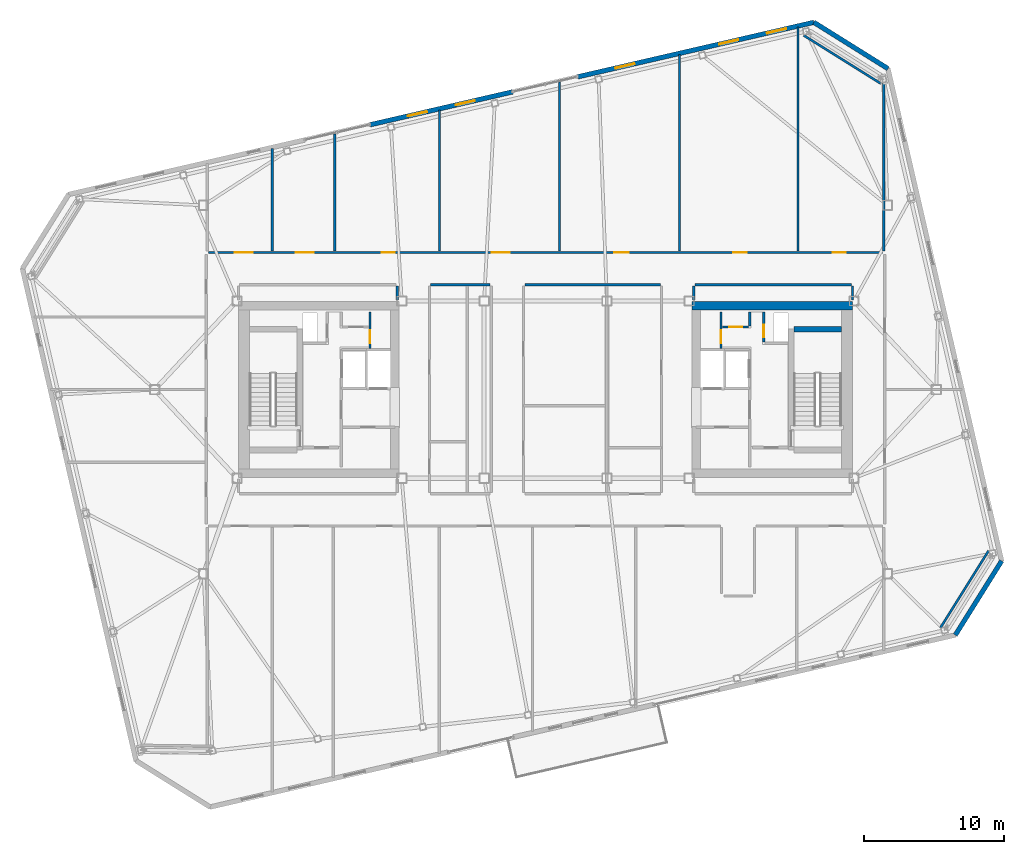
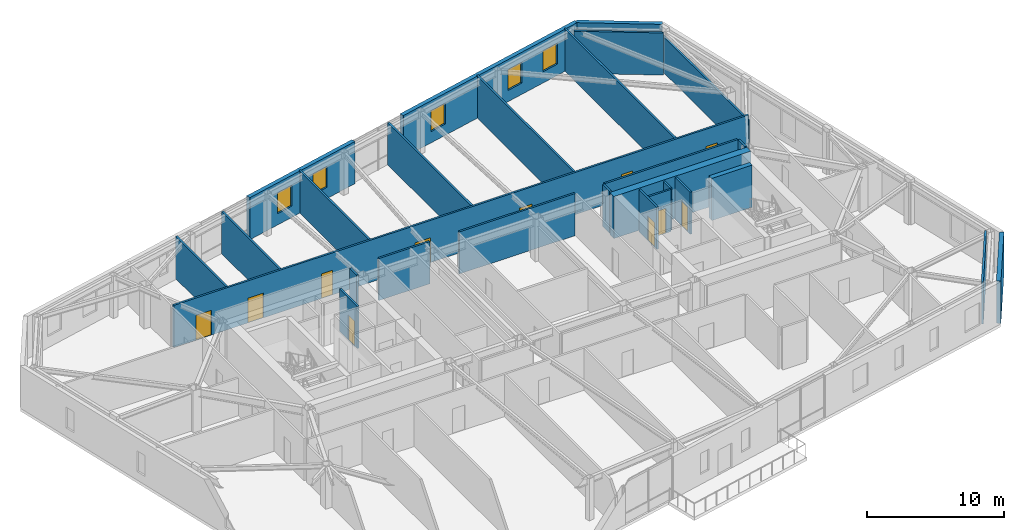
# One storey, part 19 of 24: 27 walls, 11 doors, 5 windows, 16 openings.
"""IFC4 building model written with IfcOpenShell, lengths in metres."""

from ifc_helpers import new_model, si_unit, direction, frame, frame_2d, origin, place, context, subcontext, project, spatial, rectangle, extrude, material, layer, layer_set, type_object, element, fill, save


model = new_model("IFC4")

# Units and contexts
model_context = context("Model", 3, precision=1e-05, world=origin(), true_north=direction((0.0, 1.0)))
body_context = subcontext(model_context, "Body", "Model", "MODEL_VIEW")
ifc_project = project(units=[si_unit("LENGTHUNIT", "METRE"), si_unit("AREAUNIT", "SQUARE_METRE"), si_unit("VOLUMEUNIT", "CUBIC_METRE"), si_unit("PLANEANGLEUNIT", "RADIAN"), si_unit("MASSUNIT", "GRAM", prefix="KILO")], contexts=[model_context])

# Site, building, storey
site_placement = place(None, origin())
site = spatial("IfcSite", under=ifc_project, at=site_placement, CompositionType="ELEMENT")
building_placement = place(site_placement, origin())
building = spatial("IfcBuilding", under=site, at=building_placement, Name="Tavrogorsk Clinical Tower", CompositionType="ELEMENT")
storey_placement = place(building_placement, frame((0.0, 0.0, 325.0)))
storey = spatial("IfcBuildingStorey", under=building, at=storey_placement, Name="L76", CompositionType="ELEMENT", Elevation=325.0)

# Wall, opening, door
ifc_material_1 = material(Name="Lightweight concrete blockwork B15", Category="masonry")
ifc_layer_1 = layer(ifc_material_1, 0.159912109375)
ifc_layer_set_1 = layer_set([ifc_layer_1], Name="Lightweight concrete blockwork B15")
wall_type_1 = type_object("IfcWallType", Name="PartitionWall_160", PredefinedType="PARTITIONING", material=ifc_layer_set_1)
wall_1_placement = place(storey_placement, frame((-12.580078125, 2.9599609375, 0.0), z_axis=(0.0, 0.0, 1.0), x_axis=(0.0, 1.0, 0.0)))
wall_1 = element("IfcWall", 1, at=wall_1_placement, inside=storey, type_object=wall_type_1, Name="L76 Core West Linen Closet Wall", PredefinedType="PARTITIONING", context=body_context, shape_type="SweptSolid", body=[
    extrude(rectangle(XDim=2.60009765625, YDim=0.159912109375, at=frame_2d((1.300048828125, 0.0))), origin(), (0.0, 0.0, 1.0), 3.739990234375),
])
opening_1_placement = place(wall_1_placement, frame((0.35009765625, 0.0, 0.0)))
opening_1 = element("IfcOpeningElement", 2, at=opening_1_placement, cuts=wall_1, Name="Opening ID-02", PredefinedType="OPENING", context=body_context, shape_type="SweptSolid", body=[
    extrude(rectangle(XDim=0.949951171875, YDim=2.199951171875, at=frame_2d((0.47509765625, 1.10009765625))), frame((0.0, 0.08984375, 0.0), z_axis=(0.0, -1.0, 0.0), x_axis=(1.0, 0.0, 0.0)), (0.0, 0.0, 1.0), 0.179931640625),
])
ifc_material_2 = material(Name="Laminated timber leaf on aluminium frame", Category="wood")
door_type_1 = type_object("IfcDoorType", Name="InteriorDoor_ID02_950", OperationType="NOTDEFINED", PredefinedType="DOOR", material=ifc_material_2)
door_1_placement = place(opening_1_placement, origin())
door_1 = element("IfcDoor", 3, at=door_1_placement, inside=storey, type_object=door_type_1, Name="L76 Core West Linen Closet Door", OperationType="SINGLE_SWING_RIGHT", OverallHeight=2.199951171875, OverallWidth=0.949951171875, PredefinedType="DOOR", context=body_context, shape_type="SweptSolid", body=[
    extrude(rectangle(XDim=0.949951171875, YDim=2.199951171875, at=frame_2d((0.47509765625, 1.10009765625))), frame((0.0, 0.02490234375, 0.0), z_axis=(0.0, -1.0, 0.0), x_axis=(1.0, 0.0, 0.0)), (0.0, 0.0, 1.0), 0.050048828125),
])
fill(opening_1, door_1)

wall_2_placement = place(storey_placement, frame((12.580078125, 2.9599609375, 0.0), z_axis=(0.0, 0.0, 1.0), x_axis=(0.0, 1.0, 0.0)))
wall_2 = element("IfcWall", 4, at=wall_2_placement, inside=storey, type_object=wall_type_1, Name="L76 Core East Linen Closet Wall", PredefinedType="PARTITIONING", context=body_context, shape_type="SweptSolid", body=[
    extrude(rectangle(XDim=2.60009765625, YDim=0.159912109375, at=frame_2d((1.300048828125, 0.0))), origin(), (0.0, 0.0, 1.0), 3.739990234375),
])
opening_2_placement = place(wall_2_placement, frame((0.35009765625, 0.0, 0.0)))
opening_2 = element("IfcOpeningElement", 5, at=opening_2_placement, cuts=wall_2, Name="Opening ID-02", PredefinedType="OPENING", context=body_context, shape_type="SweptSolid", body=[
    extrude(rectangle(XDim=0.949951171875, YDim=2.199951171875, at=frame_2d((0.47509765625, 1.10009765625))), frame((0.0, 0.08984375, 0.0), z_axis=(0.0, -1.0, 0.0), x_axis=(1.0, 0.0, 0.0)), (0.0, 0.0, 1.0), 0.179931640625),
])
door_2_placement = place(opening_2_placement, origin())
door_2 = element("IfcDoor", 6, at=door_2_placement, inside=storey, type_object=door_type_1, Name="L76 Core East Linen Closet Door", OperationType="SINGLE_SWING_RIGHT", OverallHeight=2.199951171875, OverallWidth=0.949951171875, PredefinedType="DOOR", context=body_context, shape_type="SweptSolid", body=[
    extrude(rectangle(XDim=0.949951171875, YDim=2.199951171875, at=frame_2d((0.47509765625, 1.10009765625))), frame((0.0, 0.02490234375, 0.0), z_axis=(0.0, -1.0, 0.0), x_axis=(1.0, 0.0, 0.0)), (0.0, 0.0, 1.0), 0.050048828125),
])
fill(opening_2, door_2)

wall_3_placement = place(storey_placement, frame((12.6650390625, 4.47998046875, 0.0), z_axis=(0.0, 0.0, 1.0), x_axis=(1.0, 0.0, 0.0)))
wall_3 = element("IfcWall", 7, at=wall_3_placement, inside=storey, type_object=wall_type_1, Name="L76 Core East Housekeeping South Wall", PredefinedType="PARTITIONING", context=body_context, shape_type="SweptSolid", body=[
    extrude(rectangle(XDim=1.889892578125, YDim=0.159912109375, at=frame_2d((0.94482421875, 0.0))), origin(), (0.0, 0.0, 1.0), 3.739990234375),
])
opening_3_placement = place(wall_3_placement, frame((0.5, 0.0, 0.0)))
opening_3 = element("IfcOpeningElement", 8, at=opening_3_placement, cuts=wall_3, Name="Opening ID-02", PredefinedType="OPENING", context=body_context, shape_type="SweptSolid", body=[
    extrude(rectangle(XDim=0.949951171875, YDim=2.199951171875, at=frame_2d((0.47509765625, 1.10009765625))), frame((0.0, 0.08984375, 0.0), z_axis=(0.0, -1.0, 0.0), x_axis=(1.0, 0.0, 0.0)), (0.0, 0.0, 1.0), 0.179931640625),
])
door_3_placement = place(opening_3_placement, origin())
door_3 = element("IfcDoor", 9, at=door_3_placement, inside=storey, type_object=door_type_1, Name="L76 Core East Housekeeping Closet Door", OperationType="SINGLE_SWING_LEFT", OverallHeight=2.199951171875, OverallWidth=0.949951171875, PredefinedType="DOOR", context=body_context, shape_type="SweptSolid", body=[
    extrude(rectangle(XDim=0.949951171875, YDim=2.199951171875, at=frame_2d((0.47509765625, 1.10009765625))), frame((0.0, 0.02490234375, 0.0), z_axis=(0.0, -1.0, 0.0), x_axis=(1.0, 0.0, 0.0)), (0.0, 0.0, 1.0), 0.050048828125),
])
fill(opening_3, door_3)

# Walls
wall_4_placement = place(storey_placement, frame((14.639892578125, 4.56494140625, 0.0), z_axis=(0.0, 0.0, 1.0), x_axis=(0.0, 1.0, 0.0)))
element("IfcWall", 10, at=wall_4_placement, inside=storey, type_object=wall_type_1, Name="L76 Core East Housekeeping East Wall", PredefinedType="PARTITIONING", context=body_context, shape_type="SweptSolid", body=[
    extrude(rectangle(XDim=0.9951171875, YDim=0.159912109375, at=frame_2d((0.49755859375, 0.0))), origin(), (0.0, 0.0, 1.0), 3.739990234375),
])
for number, where, z_axis, x_axis, name in (
    (11, (28.30029296875, -17.064697265625, 0.0), (0.0, 0.0, 1.0), (0.529914601736, 0.848051009591, 0.0), "L76 Corner Exoskeleton Brace Furring Wall 1"),
    (12, (24.018310546875, 21.9306640625, 0.0), (0.0, 0.0, 1.0), (-0.848051009591, 0.529914601736, 0.0), "L76 Corner Exoskeleton Brace Furring Wall 2"),
):
    element("IfcWall", number, at=place(storey_placement, frame(where, z_axis=z_axis, x_axis=x_axis)), inside=storey, type_object=wall_type_1, Name=name, PredefinedType="PARTITIONING", context=body_context, shape_type="SweptSolid", body=[
        extrude(rectangle(XDim=6.50537109375, YDim=0.159912109375, at=frame_2d((3.252685546875, 0.0))), origin(), (0.0, 0.0, 1.0), 3.739990234375),
    ])

# Wall, openings, doors
wall_5_placement = place(storey_placement, frame((-24.14501953125, 9.830078125, 0.0), z_axis=(0.0, 0.0, 1.0), x_axis=(1.0, 0.0, 0.0)))
wall_5 = element("IfcWall", 13, at=wall_5_placement, inside=storey, type_object=wall_type_1, Name="L76 Corridor Partition 02", PredefinedType="PARTITIONING", context=body_context, shape_type="SweptSolid", body=[
    extrude(rectangle(XDim=48.2900390625, YDim=0.159912109375, at=frame_2d((24.14501953125, 0.0))), origin(), (0.0, 0.0, 1.0), 3.739990234375),
])
opening_4_placement = place(wall_5_placement, frame((1.869140625, 0.0, 0.0)))
opening_4 = element("IfcOpeningElement", 14, at=opening_4_placement, cuts=wall_5, Name="Opening ID-01", PredefinedType="OPENING", context=body_context, shape_type="SweptSolid", body=[
    extrude(rectangle(XDim=1.300048828125, YDim=2.199951171875, at=frame_2d((0.64990234375, 1.10009765625))), frame((0.0, 0.08984375, 0.0), z_axis=(0.0, -1.0, 0.0), x_axis=(1.0, 0.0, 0.0)), (0.0, 0.0, 1.0), 0.179931640625),
])
opening_5_placement = place(wall_5_placement, frame((6.239990234375, 0.0, 0.0)))
opening_5 = element("IfcOpeningElement", 15, at=opening_5_placement, cuts=wall_5, Name="Opening ID-01", PredefinedType="OPENING", context=body_context, shape_type="SweptSolid", body=[
    extrude(rectangle(XDim=1.300048828125, YDim=2.199951171875, at=frame_2d((0.64990234375, 1.10009765625))), frame((0.0, 0.08984375, 0.0), z_axis=(0.0, -1.0, 0.0), x_axis=(1.0, 0.0, 0.0)), (0.0, 0.0, 1.0), 0.179931640625),
])
opening_6_placement = place(wall_5_placement, frame((12.405029296875, 0.0, 0.0)))
opening_6 = element("IfcOpeningElement", 16, at=opening_6_placement, cuts=wall_5, Name="Opening ID-02", PredefinedType="OPENING", context=body_context, shape_type="SweptSolid", body=[
    extrude(rectangle(XDim=0.949951171875, YDim=2.199951171875, at=frame_2d((0.47509765625, 1.10009765625))), frame((0.0, 0.08984375, 0.0), z_axis=(0.0, -1.0, 0.0), x_axis=(1.0, 0.0, 0.0)), (0.0, 0.0, 1.0), 0.179931640625),
])
opening_7_placement = place(wall_5_placement, frame((20.280029296875, 0.0, 0.0)))
opening_7 = element("IfcOpeningElement", 17, at=opening_7_placement, cuts=wall_5, Name="Opening ID-01", PredefinedType="OPENING", context=body_context, shape_type="SweptSolid", body=[
    extrude(rectangle(XDim=1.300048828125, YDim=2.199951171875, at=frame_2d((0.64990234375, 1.10009765625))), frame((0.0, 0.08984375, 0.0), z_axis=(0.0, -1.0, 0.0), x_axis=(1.0, 0.0, 0.0)), (0.0, 0.0, 1.0), 0.179931640625),
])
opening_8_placement = place(wall_5_placement, frame((29.054931640625, 0.0, 0.0)))
opening_8 = element("IfcOpeningElement", 18, at=opening_8_placement, cuts=wall_5, Name="Opening ID-04", PredefinedType="OPENING", context=body_context, shape_type="SweptSolid", body=[
    extrude(rectangle(XDim=1.050048828125, YDim=2.199951171875, at=frame_2d((0.52490234375, 1.10009765625))), frame((0.0, 0.08984375, 0.0), z_axis=(0.0, -1.0, 0.0), x_axis=(1.0, 0.0, 0.0)), (0.0, 0.0, 1.0), 0.179931640625),
])
opening_9_placement = place(wall_5_placement, frame((37.60498046875, 0.0, 0.0)))
opening_9 = element("IfcOpeningElement", 19, at=opening_9_placement, cuts=wall_5, Name="Opening ID-02", PredefinedType="OPENING", context=body_context, shape_type="SweptSolid", body=[
    extrude(rectangle(XDim=0.949951171875, YDim=2.199951171875, at=frame_2d((0.47509765625, 1.10009765625))), frame((0.0, 0.08984375, 0.0), z_axis=(0.0, -1.0, 0.0), x_axis=(1.0, 0.0, 0.0)), (0.0, 0.0, 1.0), 0.179931640625),
])
opening_10_placement = place(wall_5_placement, frame((44.725830078125, 0.0, 0.0)))
opening_10 = element("IfcOpeningElement", 20, at=opening_10_placement, cuts=wall_5, Name="Opening ID-02", PredefinedType="OPENING", context=body_context, shape_type="SweptSolid", body=[
    extrude(rectangle(XDim=0.949951171875, YDim=2.199951171875, at=frame_2d((0.47509765625, 1.10009765625))), frame((0.0, 0.08984375, 0.0), z_axis=(0.0, -1.0, 0.0), x_axis=(1.0, 0.0, 0.0)), (0.0, 0.0, 1.0), 0.179931640625),
])
ifc_material_3 = material(Name="Antibacterial HPL consultation door on aluminium frame", Category="aluminium")
door_type_2 = type_object("IfcDoorType", Name="ConsultDoor_ID04_1050", OperationType="NOTDEFINED", PredefinedType="DOOR", material=ifc_material_3)
door_4_placement = place(opening_8_placement, origin())
door_4 = element("IfcDoor", 21, at=door_4_placement, inside=storey, type_object=door_type_2, Name="L76 North Clinical Examination Suite 05 Door", OperationType="SINGLE_SWING_LEFT", OverallHeight=2.199951171875, OverallWidth=1.050048828125, PredefinedType="DOOR", context=body_context, shape_type="SweptSolid", body=[
    extrude(rectangle(XDim=1.050048828125, YDim=2.199951171875, at=frame_2d((0.52490234375, 1.10009765625))), frame((0.0, 0.02490234375, 0.0), z_axis=(0.0, -1.0, 0.0), x_axis=(1.0, 0.0, 0.0)), (0.0, 0.0, 1.0), 0.050048828125),
])
fill(opening_8, door_4)
door_5_placement = place(opening_6_placement, origin())
door_5 = element("IfcDoor", 22, at=door_5_placement, inside=storey, type_object=door_type_1, Name="L76 North Multidisciplinary Case Room 03 Door", OperationType="SINGLE_SWING_LEFT", OverallHeight=2.199951171875, OverallWidth=0.949951171875, PredefinedType="DOOR", context=body_context, shape_type="SweptSolid", body=[
    extrude(rectangle(XDim=0.949951171875, YDim=2.199951171875, at=frame_2d((0.47509765625, 1.10009765625))), frame((0.0, 0.02490234375, 0.0), z_axis=(0.0, -1.0, 0.0), x_axis=(1.0, 0.0, 0.0)), (0.0, 0.0, 1.0), 0.050048828125),
])
fill(opening_6, door_5)
door_6_placement = place(opening_9_placement, origin())
door_6 = element("IfcDoor", 23, at=door_6_placement, inside=storey, type_object=door_type_1, Name="L76 North Diagnostic Ultrasound Suite 06 Door", OperationType="SINGLE_SWING_RIGHT", OverallHeight=2.199951171875, OverallWidth=0.949951171875, PredefinedType="DOOR", context=body_context, shape_type="SweptSolid", body=[
    extrude(rectangle(XDim=0.949951171875, YDim=2.199951171875, at=frame_2d((0.47509765625, 1.10009765625))), frame((0.0, 0.02490234375, 0.0), z_axis=(0.0, -1.0, 0.0), x_axis=(1.0, 0.0, 0.0)), (0.0, 0.0, 1.0), 0.050048828125),
])
fill(opening_9, door_6)
door_7_placement = place(opening_10_placement, origin())
door_7 = element("IfcDoor", 24, at=door_7_placement, inside=storey, type_object=door_type_1, Name="L76 North Physiotherapy Rehab Studio 07 Door", OperationType="SINGLE_SWING_LEFT", OverallHeight=2.199951171875, OverallWidth=0.949951171875, PredefinedType="DOOR", context=body_context, shape_type="SweptSolid", body=[
    extrude(rectangle(XDim=0.949951171875, YDim=2.199951171875, at=frame_2d((0.47509765625, 1.10009765625))), frame((0.0, 0.02490234375, 0.0), z_axis=(0.0, -1.0, 0.0), x_axis=(1.0, 0.0, 0.0)), (0.0, 0.0, 1.0), 0.050048828125),
])
fill(opening_10, door_7)
ifc_material_4 = material(Name="Antibacterial HPL medical leaf on aluminium frame", Category="aluminium")
door_type_3 = type_object("IfcDoorType", Name="WardBedDoor_ID01_1300", OperationType="NOTDEFINED", PredefinedType="DOOR", material=ifc_material_4)
door_8_placement = place(opening_4_placement, origin())
door_8 = element("IfcDoor", 25, at=door_8_placement, inside=storey, type_object=door_type_3, Name="L76 North Acute Isolation Suite 01 Door", OperationType="SINGLE_SWING_LEFT", OverallHeight=2.199951171875, OverallWidth=1.300048828125, PredefinedType="DOOR", context=body_context, shape_type="SweptSolid", body=[
    extrude(rectangle(XDim=1.300048828125, YDim=2.199951171875, at=frame_2d((0.64990234375, 1.10009765625))), frame((0.0, 0.02490234375, 0.0), z_axis=(0.0, -1.0, 0.0), x_axis=(1.0, 0.0, 0.0)), (0.0, 0.0, 1.0), 0.050048828125),
])
fill(opening_4, door_8)
door_9_placement = place(opening_5_placement, origin())
door_9 = element("IfcDoor", 26, at=door_9_placement, inside=storey, type_object=door_type_3, Name="L76 North Sub-Acute Recovery Ward 02 Door", OperationType="SINGLE_SWING_RIGHT", OverallHeight=2.199951171875, OverallWidth=1.300048828125, PredefinedType="DOOR", context=body_context, shape_type="SweptSolid", body=[
    extrude(rectangle(XDim=1.300048828125, YDim=2.199951171875, at=frame_2d((0.64990234375, 1.10009765625))), frame((0.0, 0.02490234375, 0.0), z_axis=(0.0, -1.0, 0.0), x_axis=(1.0, 0.0, 0.0)), (0.0, 0.0, 1.0), 0.050048828125),
])
fill(opening_5, door_9)
door_10_placement = place(opening_7_placement, origin())
door_10 = element("IfcDoor", 27, at=door_10_placement, inside=storey, type_object=door_type_3, Name="L76 North Inpatient Clinical Ward 04 Door", OperationType="SINGLE_SWING_RIGHT", OverallHeight=2.199951171875, OverallWidth=1.300048828125, PredefinedType="DOOR", context=body_context, shape_type="SweptSolid", body=[
    extrude(rectangle(XDim=1.300048828125, YDim=2.199951171875, at=frame_2d((0.64990234375, 1.10009765625))), frame((0.0, 0.02490234375, 0.0), z_axis=(0.0, -1.0, 0.0), x_axis=(1.0, 0.0, 0.0)), (0.0, 0.0, 1.0), 0.050048828125),
])
fill(opening_7, door_10)

# Walls
wall_6_placement = place(storey_placement, frame((21.9150390625, 7.52001953125, 0.0), z_axis=(0.0, 0.0, 1.0), x_axis=(-1.0, 0.0, 0.0)))
element("IfcWall", 28, at=wall_6_placement, inside=storey, type_object=wall_type_1, Name="L76 Corridor Partition 09", PredefinedType="PARTITIONING", context=body_context, shape_type="SweptSolid", body=[
    extrude(rectangle(XDim=11.199951171875, YDim=0.159912109375, at=frame_2d((5.60009765625, 0.0))), origin(), (0.0, 0.0, 1.0), 3.739990234375),
])
for number, where, z_axis, x_axis, name in (
    (29, (10.6298828125, 7.43505859375, 0.0), (0.0, 0.0, 1.0), (0.0, -1.0, 0.0), "L76 Corridor Partition 10"),
    (30, (22.0, 6.419921875, 0.0), (0.0, 0.0, 1.0), (0.0, 1.0, 0.0), "L76 Corridor Partition 14"),
):
    element("IfcWall", number, at=place(storey_placement, frame(where, z_axis=z_axis, x_axis=x_axis)), inside=storey, type_object=wall_type_1, Name=name, PredefinedType="PARTITIONING", context=body_context, shape_type="SweptSolid", body=[
        extrude(rectangle(XDim=1.01513671875, YDim=0.159912109375, at=frame_2d((0.507568359375, 0.0))), origin(), (0.0, 0.0, 1.0), 3.739990234375),
    ])
wall_7_placement = place(storey_placement, frame((8.235107421875, 7.52001953125, 0.0), z_axis=(0.0, 0.0, 1.0), x_axis=(-1.0, 0.0, 0.0)))
element("IfcWall", 31, at=wall_7_placement, inside=storey, type_object=wall_type_1, Name="L76 Corridor Partition 15", PredefinedType="PARTITIONING", context=body_context, shape_type="SweptSolid", body=[
    extrude(rectangle(XDim=9.72021484375, YDim=0.159912109375, at=frame_2d((4.860107421875, 0.0))), origin(), (0.0, 0.0, 1.0), 3.739990234375),
])
wall_8_placement = place(storey_placement, frame((-3.965087890625, 7.52001953125, 0.0), z_axis=(0.0, 0.0, 1.0), x_axis=(-1.0, 0.0, 0.0)))
element("IfcWall", 32, at=wall_8_placement, inside=storey, type_object=wall_type_1, Name="L76 Corridor Partition 20", PredefinedType="PARTITIONING", context=body_context, shape_type="SweptSolid", body=[
    extrude(rectangle(XDim=4.27001953125, YDim=0.159912109375, at=frame_2d((2.135009765625, 0.0))), origin(), (0.0, 0.0, 1.0), 3.739990234375),
])
wall_9_placement = place(storey_placement, frame((-10.6298828125, 6.419921875, 0.0), z_axis=(0.0, 0.0, 1.0), x_axis=(0.0, 1.0, 0.0)))
element("IfcWall", 33, at=wall_9_placement, inside=storey, type_object=wall_type_1, Name="L76 Corridor Partition 24", PredefinedType="PARTITIONING", context=body_context, shape_type="SweptSolid", body=[
    extrude(rectangle(XDim=1.01513671875, YDim=0.159912109375, at=frame_2d((0.507568359375, 0.0))), origin(), (0.0, 0.0, 1.0), 3.739990234375),
])
wall_10_placement = place(storey_placement, frame((24.22998046875, 9.9150390625, 0.0), z_axis=(0.0, 0.0, 1.0), x_axis=(0.0, 1.0, 0.0)))
element("IfcWall", 34, at=wall_10_placement, inside=storey, type_object=wall_type_1, Name="L76 NE Wing Closure Partition", PredefinedType="PARTITIONING", context=body_context, shape_type="SweptSolid", body=[
    extrude(rectangle(XDim=12.65625, YDim=0.159912109375, at=frame_2d((6.328125, 0.0))), origin(), (0.0, 0.0, 1.0), 3.18505859375),
])
wall_11_placement = place(storey_placement, frame((-19.580078125, 9.9150390625, 0.0), z_axis=(0.0, 0.0, 1.0), x_axis=(0.0, 1.0, 0.0)))
element("IfcWall", 35, at=wall_11_placement, inside=storey, type_object=wall_type_1, Name="L76 North Room Partition 1", PredefinedType="PARTITIONING", context=body_context, shape_type="SweptSolid", body=[
    extrude(rectangle(XDim=7.369384765625, YDim=0.159912109375, at=frame_2d((3.6845703125, 0.0))), origin(), (0.0, 0.0, 1.0), 3.739990234375),
])
wall_12_placement = place(storey_placement, frame((-15.10009765625, 9.9150390625, 0.0), z_axis=(0.0, 0.0, 1.0), x_axis=(0.0, 1.0, 0.0)))
element("IfcWall", 36, at=wall_12_placement, inside=storey, type_object=wall_type_1, Name="L76 North Room Partition 2", PredefinedType="PARTITIONING", context=body_context, shape_type="SweptSolid", body=[
    extrude(rectangle(XDim=8.40380859375, YDim=0.159912109375, at=frame_2d((4.201904296875, 0.0))), origin(), (0.0, 0.0, 1.0), 3.739990234375),
])
wall_13_placement = place(storey_placement, frame((-7.60009765625, 9.9150390625, 0.0), z_axis=(0.0, 0.0, 1.0), x_axis=(0.0, 1.0, 0.0)))
element("IfcWall", 37, at=wall_13_placement, inside=storey, type_object=wall_type_1, Name="L76 North Room Partition 3", PredefinedType="PARTITIONING", context=body_context, shape_type="SweptSolid", body=[
    extrude(rectangle(XDim=10.13525390625, YDim=0.159912109375, at=frame_2d((5.067626953125, 0.0))), origin(), (0.0, 0.0, 1.0), 3.739990234375),
])
wall_14_placement = place(storey_placement, frame((1.0, 9.9150390625, 0.0), z_axis=(0.0, 0.0, 1.0), x_axis=(0.0, 1.0, 0.0)))
element("IfcWall", 38, at=wall_14_placement, inside=storey, type_object=wall_type_1, Name="L76 North Room Partition 4", PredefinedType="PARTITIONING", context=body_context, shape_type="SweptSolid", body=[
    extrude(rectangle(XDim=12.12060546875, YDim=0.159912109375, at=frame_2d((6.060302734375, 0.0))), origin(), (0.0, 0.0, 1.0), 3.739990234375),
])
wall_15_placement = place(storey_placement, frame((9.60009765625, 9.9150390625, 0.0), z_axis=(0.0, 0.0, 1.0), x_axis=(0.0, 1.0, 0.0)))
element("IfcWall", 39, at=wall_15_placement, inside=storey, type_object=wall_type_1, Name="L76 North Room Partition 5", PredefinedType="PARTITIONING", context=body_context, shape_type="SweptSolid", body=[
    extrude(rectangle(XDim=14.106201171875, YDim=0.159912109375, at=frame_2d((7.05322265625, 0.0))), origin(), (0.0, 0.0, 1.0), 3.739990234375),
])
wall_16_placement = place(storey_placement, frame((18.10009765625, 9.9150390625, 0.0), z_axis=(0.0, 0.0, 1.0), x_axis=(0.0, 1.0, 0.0)))
element("IfcWall", 40, at=wall_16_placement, inside=storey, type_object=wall_type_1, Name="L76 North Room Partition 6", PredefinedType="PARTITIONING", context=body_context, shape_type="SweptSolid", body=[
    extrude(rectangle(XDim=16.068603515625, YDim=0.159912109375, at=frame_2d((8.0341796875, 0.0))), origin(), (0.0, 0.0, 1.0), 3.739990234375),
])

# Wall, openings, windows
ifc_material_5 = material(Name="Precast concrete B45 with limestone cladding", Category="masonry")
ifc_layer_2 = layer(ifc_material_5, 0.340087890625)
ifc_layer_set_2 = layer_set([ifc_layer_2], Name="Precast concrete B45 with limestone cladding")
wall_type_2 = type_object("IfcWallType", Name="PrecastLimestoneWall_340", PredefinedType="STANDARD", material=ifc_layer_set_2)
wall_17_placement = place(storey_placement, frame((19.2294921875, 26.316162109375, 0.0), z_axis=(0.0, 0.0, 1.0), x_axis=(-0.974372473594, -0.224940620392, 0.0)))
wall_17 = element("IfcWall", 41, at=wall_17_placement, inside=storey, type_object=wall_type_2, Name="L76 N Limestone Facade Wall 1", PredefinedType="STANDARD", context=body_context, shape_type="SweptSolid", body=[
    extrude(rectangle(XDim=17.36572265625, YDim=0.340087890625, at=frame_2d((8.682861328125, 0.0))), origin(), (0.0, 0.0, 1.0), 3.739990234375),
])
opening_11_placement = place(wall_17_placement, frame((13.187255859375, 0.0, 1.0)))
opening_11 = element("IfcOpeningElement", 42, at=opening_11_placement, cuts=wall_17, Name="Opening WN-17", PredefinedType="OPENING", context=body_context, shape_type="SweptSolid", body=[
    extrude(rectangle(XDim=1.39990234375, YDim=1.85009765625, at=frame_2d((0.699951171875, 0.925048828125))), frame((0.0, 0.179931640625, 0.0), z_axis=(0.0, -1.0, 0.0), x_axis=(1.0, 0.0, 0.0)), (0.0, 0.0, 1.0), 0.360107421875),
])
opening_12_placement = place(wall_17_placement, frame((5.552978515625, 0.0, 1.0)))
opening_12 = element("IfcOpeningElement", 43, at=opening_12_placement, cuts=wall_17, Name="Opening WN-17", PredefinedType="OPENING", context=body_context, shape_type="SweptSolid", body=[
    extrude(rectangle(XDim=1.39990234375, YDim=1.85009765625, at=frame_2d((0.699951171875, 0.925048828125))), frame((0.0, 0.179931640625, 0.0), z_axis=(0.0, -1.0, 0.0), x_axis=(1.0, 0.0, 0.0)), (0.0, 0.0, 1.0), 0.360107421875),
])
opening_13_placement = place(wall_17_placement, frame((2.041259765625, 0.0, 1.0)))
opening_13 = element("IfcOpeningElement", 44, at=opening_13_placement, cuts=wall_17, Name="Opening WN-17", PredefinedType="OPENING", context=body_context, shape_type="SweptSolid", body=[
    extrude(rectangle(XDim=1.39990234375, YDim=1.85009765625, at=frame_2d((0.699951171875, 0.925048828125))), frame((0.0, 0.179931640625, 0.0), z_axis=(0.0, -1.0, 0.0), x_axis=(1.0, 0.0, 0.0)), (0.0, 0.0, 1.0), 0.360107421875),
])
ifc_material_6 = material(Name="Thermally broken aluminium frame and triple IGU", Category="aluminium")
window_type = type_object("IfcWindowType", Name="TelemetryWin_1400x1850", PartitioningType="SINGLE_PANEL", PredefinedType="WINDOW", material=ifc_material_6)
window_1_placement = place(opening_11_placement, origin())
window_1 = element("IfcWindow", 45, at=window_1_placement, inside=storey, type_object=window_type, Name="L76 N Chicago Window 07", OverallHeight=1.85009765625, OverallWidth=1.39990234375, PartitioningType="SINGLE_PANEL", PredefinedType="WINDOW", context=body_context, shape_type="SweptSolid", body=[
    extrude(rectangle(XDim=1.39990234375, YDim=1.85009765625, at=frame_2d((0.699951171875, 0.925048828125))), frame((0.0, 0.030029296875, 0.0), z_axis=(0.0, -1.0, 0.0), x_axis=(1.0, 0.0, 0.0)), (0.0, 0.0, 1.0), 0.06005859375),
])
fill(opening_11, window_1)
window_2_placement = place(opening_12_placement, origin())
window_2 = element("IfcWindow", 46, at=window_2_placement, inside=storey, type_object=window_type, Name="L76 N Chicago Window 09", OverallHeight=1.85009765625, OverallWidth=1.39990234375, PartitioningType="SINGLE_PANEL", PredefinedType="WINDOW", context=body_context, shape_type="SweptSolid", body=[
    extrude(rectangle(XDim=1.39990234375, YDim=1.85009765625, at=frame_2d((0.699951171875, 0.925048828125))), frame((0.0, 0.030029296875, 0.0), z_axis=(0.0, -1.0, 0.0), x_axis=(1.0, 0.0, 0.0)), (0.0, 0.0, 1.0), 0.06005859375),
])
fill(opening_12, window_2)
window_3_placement = place(opening_13_placement, origin())
window_3 = element("IfcWindow", 47, at=window_3_placement, inside=storey, type_object=window_type, Name="L76 N Chicago Window 10", OverallHeight=1.85009765625, OverallWidth=1.39990234375, PartitioningType="SINGLE_PANEL", PredefinedType="WINDOW", context=body_context, shape_type="SweptSolid", body=[
    extrude(rectangle(XDim=1.39990234375, YDim=1.85009765625, at=frame_2d((0.699951171875, 0.925048828125))), frame((0.0, 0.030029296875, 0.0), z_axis=(0.0, -1.0, 0.0), x_axis=(1.0, 0.0, 0.0)), (0.0, 0.0, 1.0), 0.06005859375),
])
fill(opening_13, window_3)

wall_18_placement = place(storey_placement, frame((-2.3681640625, 21.330078125, 0.0), z_axis=(0.0, 0.0, 1.0), x_axis=(-0.974367213107, -0.224963405961, 0.0)))
wall_18 = element("IfcWall", 48, at=wall_18_placement, inside=storey, type_object=wall_type_2, Name="L76 N Limestone Facade Wall 2", PredefinedType="STANDARD", context=body_context, shape_type="SweptSolid", body=[
    extrude(rectangle(XDim=10.46826171875, YDim=0.340087890625, at=frame_2d((5.234130859375, 0.0))), origin(), (0.0, 0.0, 1.0), 3.739990234375),
])
opening_14_placement = place(wall_18_placement, frame((6.2900390625, 0.0, 1.0)))
opening_14 = element("IfcOpeningElement", 49, at=opening_14_placement, cuts=wall_18, Name="Opening WN-17", PredefinedType="OPENING", context=body_context, shape_type="SweptSolid", body=[
    extrude(rectangle(XDim=1.39990234375, YDim=1.85009765625, at=frame_2d((0.699951171875, 0.925048828125))), frame((0.0, 0.179931640625, 0.0), z_axis=(0.0, -1.0, 0.0), x_axis=(1.0, 0.0, 0.0)), (0.0, 0.0, 1.0), 0.360107421875),
])
opening_15_placement = place(wall_18_placement, frame((2.7783203125, 0.0, 1.0)))
opening_15 = element("IfcOpeningElement", 50, at=opening_15_placement, cuts=wall_18, Name="Opening WN-17", PredefinedType="OPENING", context=body_context, shape_type="SweptSolid", body=[
    extrude(rectangle(XDim=1.39990234375, YDim=1.85009765625, at=frame_2d((0.699951171875, 0.925048828125))), frame((0.0, 0.179931640625, 0.0), z_axis=(0.0, -1.0, 0.0), x_axis=(1.0, 0.0, 0.0)), (0.0, 0.0, 1.0), 0.360107421875),
])
window_4_placement = place(opening_14_placement, origin())
window_4 = element("IfcWindow", 51, at=window_4_placement, inside=storey, type_object=window_type, Name="L76 N Chicago Window 05", OverallHeight=1.85009765625, OverallWidth=1.39990234375, PartitioningType="SINGLE_PANEL", PredefinedType="WINDOW", context=body_context, shape_type="SweptSolid", body=[
    extrude(rectangle(XDim=1.39990234375, YDim=1.85009765625, at=frame_2d((0.699951171875, 0.925048828125))), frame((0.0, 0.030029296875, 0.0), z_axis=(0.0, -1.0, 0.0), x_axis=(1.0, 0.0, 0.0)), (0.0, 0.0, 1.0), 0.06005859375),
])
fill(opening_14, window_4)
window_5_placement = place(opening_15_placement, origin())
window_5 = element("IfcWindow", 52, at=window_5_placement, inside=storey, type_object=window_type, Name="L76 N Chicago Window 06", OverallHeight=1.85009765625, OverallWidth=1.39990234375, PartitioningType="SINGLE_PANEL", PredefinedType="WINDOW", context=body_context, shape_type="SweptSolid", body=[
    extrude(rectangle(XDim=1.39990234375, YDim=1.85009765625, at=frame_2d((0.699951171875, 0.925048828125))), frame((0.0, 0.030029296875, 0.0), z_axis=(0.0, -1.0, 0.0), x_axis=(1.0, 0.0, 0.0)), (0.0, 0.0, 1.0), 0.06005859375),
])
fill(opening_15, window_5)

# Walls
for number, where, z_axis, x_axis, name in (
    (53, (29.365966796875, -17.5888671875, 0.0), (0.0, 0.0, 1.0), (0.529907862057, 0.848055220921, 0.0), "L76 Chamfered Corner Wall 1"),
    (54, (24.54248046875, 22.996337890625, 0.0), (0.0, 0.0, 1.0), (-0.848055220921, 0.529907862057, 0.0), "L76 Chamfered Corner Wall 2"),
):
    element("IfcWall", number, at=place(storey_placement, frame(where, z_axis=z_axis, x_axis=x_axis)), inside=storey, type_object=wall_type_2, Name=name, PredefinedType="STANDARD", context=body_context, shape_type="SweptSolid", body=[
        extrude(rectangle(XDim=6.264892578125, YDim=0.340087890625, at=frame_2d((3.13232421875, 0.0))), origin(), (0.0, 0.0, 1.0), 3.739990234375),
    ])

# Wall, opening, door
ifc_material_7 = material(Name="Lightweight concrete blockwork B25", Category="masonry")
ifc_layer_3 = layer(ifc_material_7, 0.159912109375)
ifc_layer_set_3 = layer_set([ifc_layer_3], Name="Lightweight concrete blockwork B25")
wall_type_3 = type_object("IfcWallType", Name="ShaftWall_160", PredefinedType="PARTITIONING", material=ifc_layer_set_3)
wall_19_placement = place(storey_placement, frame((15.639892578125, 3.405029296875, 0.0), z_axis=(0.0, 0.0, 1.0), x_axis=(0.0, 1.0, 0.0)))
wall_19 = element("IfcWall", 55, at=wall_19_placement, inside=storey, type_object=wall_type_3, Name="L76 Core East Riser West Wall", PredefinedType="PARTITIONING", context=body_context, shape_type="SweptSolid", body=[
    extrude(rectangle(XDim=2.155029296875, YDim=0.159912109375, at=frame_2d((1.07763671875, 0.0))), origin(), (0.0, 0.0, 1.0), 3.739990234375),
])
opening_16_placement = place(wall_19_placement, frame((0.35009765625, 0.0, 0.0)))
opening_16 = element("IfcOpeningElement", 56, at=opening_16_placement, cuts=wall_19, Name="Opening FD-02", PredefinedType="OPENING", context=body_context, shape_type="SweptSolid", body=[
    extrude(rectangle(XDim=0.89990234375, YDim=2.199951171875, at=frame_2d((0.449951171875, 1.10009765625))), frame((0.0, 0.08984375, 0.0), z_axis=(0.0, -1.0, 0.0), x_axis=(1.0, 0.0, 0.0)), (0.0, 0.0, 1.0), 0.179931640625),
])
ifc_material_8 = material(Name="Galvanised steel fire-rated door assembly", Category="steel")
door_type_4 = type_object("IfcDoorType", Name="FireDoor_FD02_900", OperationType="NOTDEFINED", PredefinedType="DOOR", material=ifc_material_8)
door_11_placement = place(opening_16_placement, origin())
door_11 = element("IfcDoor", 57, at=door_11_placement, inside=storey, type_object=door_type_4, Name="L76 Core East Electrical Riser Access Door", OperationType="SINGLE_SWING_LEFT", OverallHeight=2.199951171875, OverallWidth=0.89990234375, PredefinedType="DOOR", context=body_context, shape_type="SweptSolid", body=[
    extrude(rectangle(XDim=0.89990234375, YDim=2.199951171875, at=frame_2d((0.449951171875, 1.10009765625))), frame((0.0, 0.02490234375, 0.0), z_axis=(0.0, -1.0, 0.0), x_axis=(1.0, 0.0, 0.0)), (0.0, 0.0, 1.0), 0.050048828125),
])
fill(opening_16, door_11)

# Walls
ifc_material_9 = material(Name="Concrete B80", Category="concrete")
ifc_layer_4 = layer(ifc_material_9, 0.39990234375)
ifc_layer_set_4 = layer_set([ifc_layer_4], Name="Concrete B80")
wall_type_4 = type_object("IfcWallType", Name="ShearWall_400", PredefinedType="SHEAR", material=ifc_layer_set_4)
wall_20_placement = place(storey_placement, frame((17.800048828125, 4.324951171875, 0.0), z_axis=(0.0, 0.0, 1.0), x_axis=(1.0, 0.0, 0.0)))
element("IfcWall", 58, at=wall_20_placement, inside=storey, type_object=wall_type_4, Name="L76 Core East Stair Shaft North Shear Wall", PredefinedType="SHEAR", context=body_context, shape_type="SweptSolid", body=[
    extrude(rectangle(XDim=3.39990234375, YDim=0.39990234375, at=frame_2d((1.699951171875, 0.0))), origin(), (0.0, 0.0, 1.0), 3.739990234375),
])
ifc_material_10 = material(Name="Concrete B80", Category="concrete")
ifc_layer_5 = layer(ifc_material_10, 0.60009765625)
ifc_layer_set_5 = layer_set([ifc_layer_5], Name="Concrete B80")
wall_type_5 = type_object("IfcWallType", Name="ShearWall_600", PredefinedType="SHEAR", material=ifc_layer_set_5)
wall_21_placement = place(storey_placement, frame((10.5, 6.0, 0.0), z_axis=(0.0, 0.0, 1.0), x_axis=(1.0, 0.0, 0.0)))
element("IfcWall", 59, at=wall_21_placement, inside=storey, type_object=wall_type_5, Name="L76 Core East North Shear Wall", PredefinedType="SHEAR", context=body_context, shape_type="SweptSolid", body=[
    extrude(rectangle(XDim=11.5, YDim=0.60009765625, at=frame_2d((5.75, 0.0))), origin(), (0.0, 0.0, 1.0), 3.739990234375),
])

save(model, "model.ifc")
